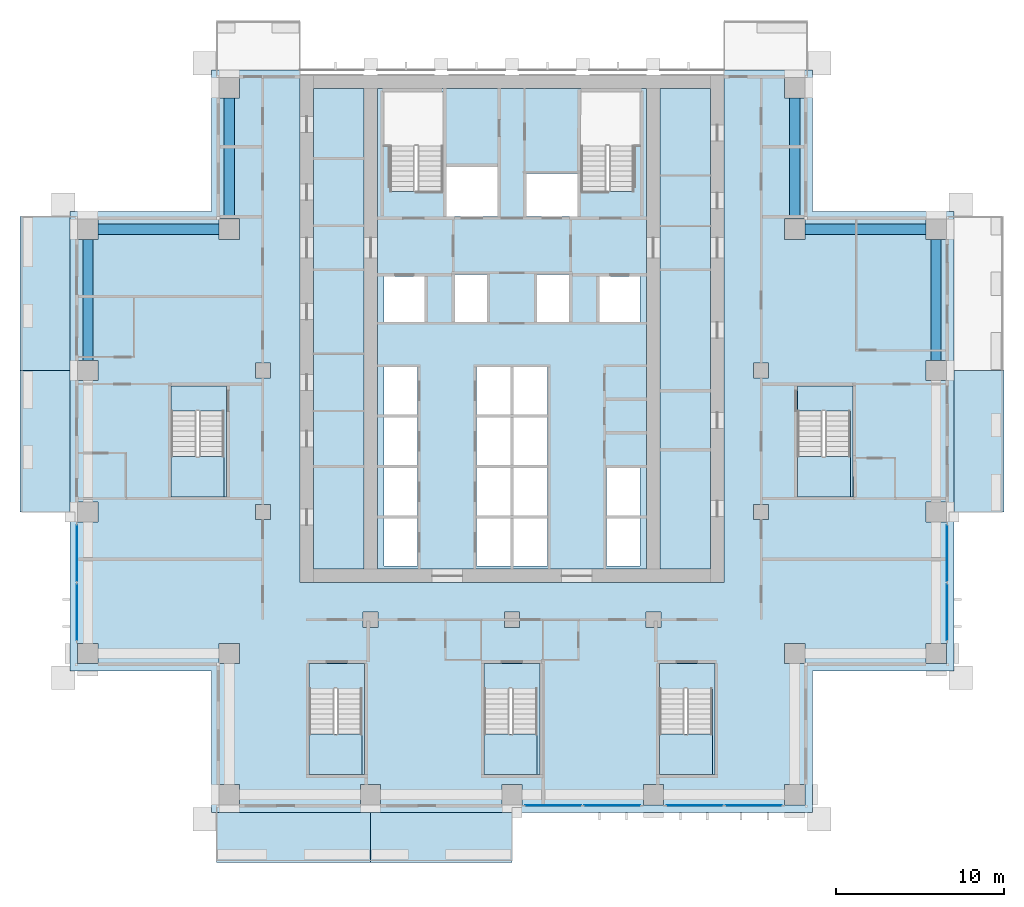
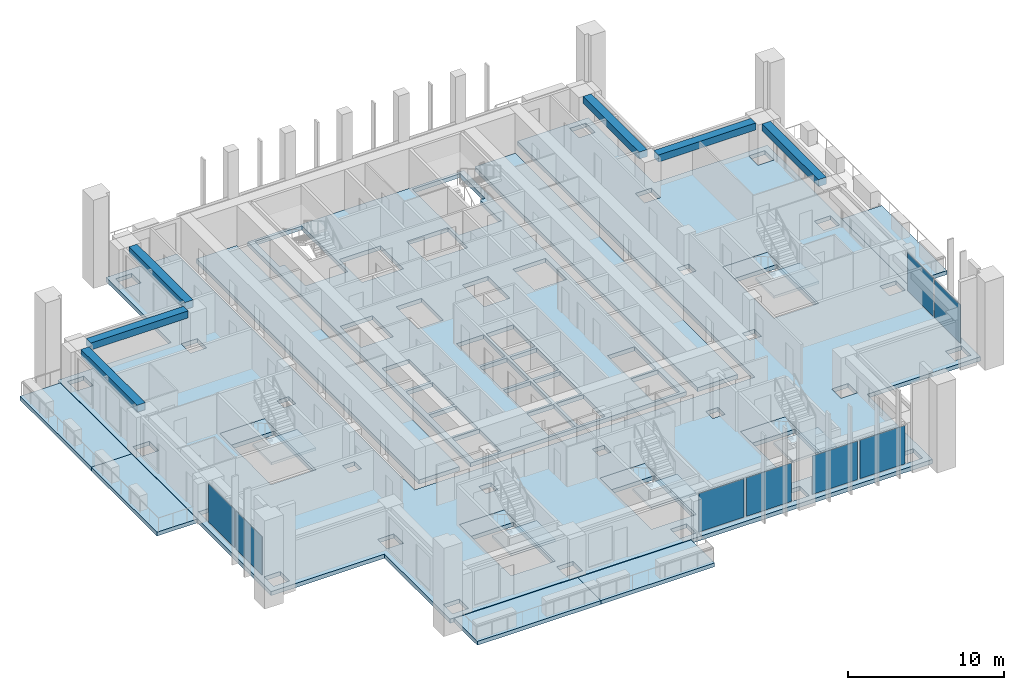
# One storey, part 5 of 17: 19 slabs, 8 plates, 6 beams, 9 elements without a shape of their own.
"""IFC4 building model written with IfcOpenShell, lengths in metres."""

from ifc_helpers import new_model, si_unit, direction, frame, origin, origin_2d, place, context, subcontext, project, spatial, polyline, rectangle, outline, extrude, material, layer, layer_set, material_profile, profile_set, type_object, element, aggregate, save


model = new_model("IFC4")

# Units and contexts
model_context = context("Model", 3, precision=1e-05, world=origin(), true_north=direction((0.0, 1.0)))
body_context = subcontext(model_context, "Body", "Model", "MODEL_VIEW")
ifc_project = project(units=[si_unit("LENGTHUNIT", "METRE"), si_unit("AREAUNIT", "SQUARE_METRE"), si_unit("VOLUMEUNIT", "CUBIC_METRE"), si_unit("PLANEANGLEUNIT", "RADIAN"), si_unit("MASSUNIT", "GRAM", prefix="KILO")], contexts=[model_context])

# Site, building, storey
site_placement = place(None, origin())
site = spatial("IfcSite", under=ifc_project, at=site_placement, CompositionType="ELEMENT")
building_placement = place(site_placement, origin())
building = spatial("IfcBuilding", under=site, at=building_placement, Name="Vermilion Ogive Tower", CompositionType="ELEMENT")
storey_placement = place(building_placement, frame((0.0, 0.0, 97.64990234375)))
storey = spatial("IfcBuildingStorey", under=building, at=storey_placement, Name="L24", CompositionType="ELEMENT", Elevation=97.64990234375)

# Beams
ifc_material_1 = material(Name="Concrete B45", Category="concrete")
ifc_material_profile = material_profile(ifc_material_1, rectangle(XDim=0.60009765625, YDim=0.550048828125, at=origin_2d()), Name="600 x 550")
ifc_profile_set = profile_set([ifc_material_profile], Name="Concrete B45")
beam_type = type_object("IfcBeamType", Name="Edge beam 600 x 550 B45", PredefinedType="BEAM", material=ifc_profile_set)
beam_1_placement = place(storey_placement, frame((25.199951171875, 4.800048828125, 2.85498046875), z_axis=(0.0, 1.0, 0.0), x_axis=(-1.0, 0.0, 0.0)))
element("IfcBeam", 1, at=beam_1_placement, inside=storey, type_object=beam_type, Name="L24-EB-9", PredefinedType="BEAM", context=body_context, shape_type="SweptSolid", body=[
    extrude(rectangle(XDim=0.60009765625, YDim=0.550048828125, at=origin_2d()), origin(), (0.0, 0.0, 1.0), 7.199951171875),
])
beam_2_placement = place(storey_placement, frame((24.60009765625, 12.60009765625, 2.85498046875), z_axis=(-1.0, 0.0, 0.0), x_axis=(0.0, -1.0, 0.0)))
element("IfcBeam", 2, at=beam_2_placement, inside=storey, type_object=beam_type, Name="L24-EB-10", PredefinedType="BEAM", context=body_context, shape_type="SweptSolid", body=[
    extrude(rectangle(XDim=0.60009765625, YDim=0.550048828125, at=origin_2d()), origin(), (0.0, 0.0, 1.0), 7.2001953125),
])
for number, where, z_axis, x_axis, name in (
    (3, (16.800048828125, 13.199951171875, 2.85498046875), (0.0, 1.0, 0.0), (-1.0, 0.0, 0.0), "L24-EB-11"),
    (4, (-16.800048828125, 20.39990234375, 2.85498046875), (0.0, -1.0, 0.0), (1.0, 0.0, 0.0), "L24-EB-12"),
):
    element("IfcBeam", number, at=place(storey_placement, frame(where, z_axis=z_axis, x_axis=x_axis)), inside=storey, type_object=beam_type, Name=name, PredefinedType="BEAM", context=body_context, shape_type="SweptSolid", body=[
        extrude(rectangle(XDim=0.60009765625, YDim=0.550048828125, at=origin_2d()), origin(), (0.0, 0.0, 1.0), 7.199951171875),
    ])
beam_3_placement = place(storey_placement, frame((-17.39990234375, 12.60009765625, 2.85498046875), z_axis=(-1.0, 0.0, 0.0), x_axis=(0.0, -1.0, 0.0)))
element("IfcBeam", 5, at=beam_3_placement, inside=storey, type_object=beam_type, Name="L24-EB-13", PredefinedType="BEAM", context=body_context, shape_type="SweptSolid", body=[
    extrude(rectangle(XDim=0.60009765625, YDim=0.550048828125, at=origin_2d()), origin(), (0.0, 0.0, 1.0), 7.2001953125),
])
beam_4_placement = place(storey_placement, frame((-25.199951171875, 12.0, 2.85498046875), z_axis=(0.0, -1.0, 0.0), x_axis=(1.0, 0.0, 0.0)))
element("IfcBeam", 6, at=beam_4_placement, inside=storey, type_object=beam_type, Name="L24-EB-14", PredefinedType="BEAM", context=body_context, shape_type="SweptSolid", body=[
    extrude(rectangle(XDim=0.60009765625, YDim=0.550048828125, at=origin_2d()), origin(), (0.0, 0.0, 1.0), 7.199951171875),
])

# Slabs
ifc_material_2 = material(Name="Concrete B40", Category="concrete")
ifc_layer_1 = layer(ifc_material_2, 0.300048828125)
ifc_layer_set_1 = layer_set([ifc_layer_1], Name="Balcony slab")
slab_type_1 = type_object("IfcSlabType", Name="Balcony slab", PredefinedType="FLOOR", material=ifc_layer_set_1)
slab_1_placement = place(storey_placement, frame((0.0, 0.0, -0.33984375)))
element("IfcSlab", 7, at=slab_1_placement, inside=storey, type_object=slab_type_1, Name="Balcony slab S01", PredefinedType="FLOOR", context=body_context, shape_type="SweptSolid", body=[
    extrude(outline(polyline([(-17.550048828125, -25.030029296875), (-8.39990234375, -25.030029296875), (-8.39990234375, -22.050048828125), (-17.550048828125, -22.050048828125), (-17.550048828125, -25.030029296875)])), origin(), (0.0, 0.0, 1.0), 0.300048828125),
])
slab_2_placement = place(storey_placement, frame((0.0, 0.0, -0.33984375)))
element("IfcSlab", 8, at=slab_2_placement, inside=storey, type_object=slab_type_1, Name="Balcony slab S02", PredefinedType="FLOOR", context=body_context, shape_type="SweptSolid", body=[
    extrude(outline(polyline([(-8.39990234375, -25.030029296875), (0.0, -25.030029296875), (0.0, -22.050048828125), (-8.39990234375, -22.050048828125), (-8.39990234375, -25.030029296875)])), origin(), (0.0, 0.0, 1.0), 0.300048828125),
])
slab_3_placement = place(storey_placement, frame((0.0, 0.0, -0.33984375)))
element("IfcSlab", 9, at=slab_3_placement, inside=storey, type_object=slab_type_1, Name="Balcony slab E02", PredefinedType="FLOOR", context=body_context, shape_type="SweptSolid", body=[
    extrude(outline(polyline([(29.22998046875, -4.199951171875), (29.22998046875, 4.199951171875), (26.25, 4.199951171875), (26.25, -4.199951171875), (29.22998046875, -4.199951171875)])), origin(), (0.0, 0.0, 1.0), 0.300048828125),
])
slab_4_placement = place(storey_placement, frame((0.0, 0.0, -0.33984375)))
element("IfcSlab", 10, at=slab_4_placement, inside=storey, type_object=slab_type_1, Name="Balcony slab W01", PredefinedType="FLOOR", context=body_context, shape_type="SweptSolid", body=[
    extrude(outline(polyline([(-29.22998046875, 13.35009765625), (-29.22998046875, 4.199951171875), (-26.25, 4.199951171875), (-26.25, 13.35009765625), (-29.22998046875, 13.35009765625)])), origin(), (0.0, 0.0, 1.0), 0.300048828125),
])
slab_5_placement = place(storey_placement, frame((0.0, 0.0, -0.33984375)))
element("IfcSlab", 11, at=slab_5_placement, inside=storey, type_object=slab_type_1, Name="Balcony slab W02", PredefinedType="FLOOR", context=body_context, shape_type="SweptSolid", body=[
    extrude(outline(polyline([(-29.22998046875, 4.199951171875), (-29.22998046875, -4.199951171875), (-26.25, -4.199951171875), (-26.25, 4.199951171875), (-29.22998046875, 4.199951171875)])), origin(), (0.0, 0.0, 1.0), 0.300048828125),
])

# Curtain wall, plates
ifc_material_3 = material(Name="Low-iron laminated glazing in aluminium frame", Category="aluminium")
curtain_wall_type = type_object("IfcCurtainWallType", Name="Curtain wall CW7", PredefinedType="NOTDEFINED", material=ifc_material_3)
curtain_wall_1_placement = place(storey_placement, origin())
curtain_wall_1 = element("IfcCurtainWall", 12, at=curtain_wall_1_placement, inside=storey, type_object=curtain_wall_type, Name="Glazed skin S3", PredefinedType="NOTDEFINED")
ifc_material_4 = material(Name="Low-iron laminated glazing in aluminium frame", Category="aluminium")
ifc_layer_2 = layer(ifc_material_4, 0.031982421875)
ifc_layer_set_2 = layer_set([ifc_layer_2], Name="CW7 glazing panel 32")
plate_type = type_object("IfcPlateType", Name="CW7 glazing panel 32", PredefinedType="CURTAIN_PANEL", material=ifc_layer_set_2)
plate_1_placement = place(storey_placement, frame((2.445068359375, -21.64990234375, 0.06005859375), z_axis=(0.0, 0.0, 1.0), x_axis=(1.0, 0.0, 0.0)))
plate_1 = element("IfcPlate", 13, at=plate_1_placement, type_object=plate_type, Name="CW7-S3 panel 1.1", PredefinedType="CURTAIN_PANEL", context=body_context, shape_type="SweptSolid", body=[
    extrude(rectangle(XDim=3.330078125, YDim=0.031982421875, at=origin_2d()), origin(), (0.0, 0.0, 1.0), 3.010009765625),
])
plate_2_placement = place(storey_placement, frame((5.955078125, -21.64990234375, 0.06005859375), z_axis=(0.0, 0.0, 1.0), x_axis=(1.0, 0.0, 0.0)))
plate_2 = element("IfcPlate", 14, at=plate_2_placement, type_object=plate_type, Name="CW7-S3 panel 2.1", PredefinedType="CURTAIN_PANEL", context=body_context, shape_type="SweptSolid", body=[
    extrude(rectangle(XDim=3.330078125, YDim=0.031982421875, at=origin_2d()), origin(), (0.0, 0.0, 1.0), 3.010009765625),
])
aggregate(curtain_wall_1, [plate_1, plate_2])

curtain_wall_2_placement = place(storey_placement, origin())
curtain_wall_2 = element("IfcCurtainWall", 15, at=curtain_wall_2_placement, inside=storey, type_object=curtain_wall_type, Name="Glazed skin S4", PredefinedType="NOTDEFINED")
plate_3_placement = place(storey_placement, frame((10.844970703125, -21.64990234375, 0.06005859375), z_axis=(0.0, 0.0, 1.0), x_axis=(1.0, 0.0, 0.0)))
plate_3 = element("IfcPlate", 16, at=plate_3_placement, type_object=plate_type, Name="CW7-S4 panel 1.1", PredefinedType="CURTAIN_PANEL", context=body_context, shape_type="SweptSolid", body=[
    extrude(rectangle(XDim=3.330078125, YDim=0.031982421875, at=origin_2d()), origin(), (0.0, 0.0, 1.0), 3.010009765625),
])
plate_4_placement = place(storey_placement, frame((14.35498046875, -21.64990234375, 0.06005859375), z_axis=(0.0, 0.0, 1.0), x_axis=(1.0, 0.0, 0.0)))
plate_4 = element("IfcPlate", 17, at=plate_4_placement, type_object=plate_type, Name="CW7-S4 panel 2.1", PredefinedType="CURTAIN_PANEL", context=body_context, shape_type="SweptSolid", body=[
    extrude(rectangle(XDim=3.330078125, YDim=0.031982421875, at=origin_2d()), origin(), (0.0, 0.0, 1.0), 3.010009765625),
])
aggregate(curtain_wall_2, [plate_3, plate_4])

curtain_wall_3_placement = place(storey_placement, origin())
curtain_wall_3 = element("IfcCurtainWall", 18, at=curtain_wall_3_placement, inside=storey, type_object=curtain_wall_type, Name="Glazed skin E1", PredefinedType="NOTDEFINED")
plate_5_placement = place(storey_placement, frame((25.85009765625, -10.155029296875, 0.06005859375), z_axis=(0.0, 0.0, 1.0), x_axis=(0.0, 1.0, 0.0)))
plate_5 = element("IfcPlate", 19, at=plate_5_placement, type_object=plate_type, Name="CW7-E1 panel 1.1", PredefinedType="CURTAIN_PANEL", context=body_context, shape_type="SweptSolid", body=[
    extrude(rectangle(XDim=3.330078125, YDim=0.031982421875, at=origin_2d()), origin(), (0.0, 0.0, 1.0), 3.010009765625),
])
plate_6_placement = place(storey_placement, frame((25.85009765625, -6.64501953125, 0.06005859375), z_axis=(0.0, 0.0, 1.0), x_axis=(0.0, 1.0, 0.0)))
plate_6 = element("IfcPlate", 20, at=plate_6_placement, type_object=plate_type, Name="CW7-E1 panel 2.1", PredefinedType="CURTAIN_PANEL", context=body_context, shape_type="SweptSolid", body=[
    extrude(rectangle(XDim=3.330078125, YDim=0.031982421875, at=origin_2d()), origin(), (0.0, 0.0, 1.0), 3.010009765625),
])
aggregate(curtain_wall_3, [plate_5, plate_6])

curtain_wall_4_placement = place(storey_placement, origin())
curtain_wall_4 = element("IfcCurtainWall", 21, at=curtain_wall_4_placement, inside=storey, type_object=curtain_wall_type, Name="Glazed skin W3", PredefinedType="NOTDEFINED")
plate_7_placement = place(storey_placement, frame((-25.85009765625, -6.64501953125, 0.06005859375), z_axis=(0.0, 0.0, 1.0), x_axis=(0.0, -1.0, 0.0)))
plate_7 = element("IfcPlate", 22, at=plate_7_placement, type_object=plate_type, Name="CW7-W3 panel 1.1", PredefinedType="CURTAIN_PANEL", context=body_context, shape_type="SweptSolid", body=[
    extrude(rectangle(XDim=3.330078125, YDim=0.031982421875, at=origin_2d()), origin(), (0.0, 0.0, 1.0), 3.010009765625),
])
plate_8_placement = place(storey_placement, frame((-25.85009765625, -10.155029296875, 0.06005859375), z_axis=(0.0, 0.0, 1.0), x_axis=(0.0, -1.0, 0.0)))
plate_8 = element("IfcPlate", 23, at=plate_8_placement, type_object=plate_type, Name="CW7-W3 panel 2.1", PredefinedType="CURTAIN_PANEL", context=body_context, shape_type="SweptSolid", body=[
    extrude(rectangle(XDim=3.330078125, YDim=0.031982421875, at=origin_2d()), origin(), (0.0, 0.0, 1.0), 3.010009765625),
])
aggregate(curtain_wall_4, [plate_7, plate_8])

# Slabs
ifc_material_5 = material(Name="Concrete B40", Category="concrete")
ifc_layer_3 = layer(ifc_material_5, 0.320068359375)
ifc_layer_set_3 = layer_set([ifc_layer_3], Name="Core floor slab 320 B40")
slab_type_2 = type_object("IfcSlabType", Name="Core floor slab 320 B40", PredefinedType="FLOOR", material=ifc_layer_set_3)
slab_6_placement = place(storey_placement, frame((0.0, 0.0, -0.31982421875)))
element("IfcSlab", 24, at=slab_6_placement, inside=storey, type_object=slab_type_2, Name="L24-CK-FS1", PredefinedType="FLOOR", context=body_context, shape_type="SweptSolid", body=[
    extrude(outline(polyline([(-8.803955078125, 20.946044921875), (-8.803955078125, -7.595947265625), (-11.7958984375, -7.595947265625), (-11.7958984375, 20.946044921875), (-8.803955078125, 20.946044921875)])), origin(), (0.0, 0.0, 1.0), 0.31982421875),
])
slab_7_placement = place(storey_placement, frame((0.0, 0.0, -0.31982421875)))
element("IfcSlab", 25, at=slab_7_placement, inside=storey, type_object=slab_type_2, Name="L24-CK-FS2", PredefinedType="FLOOR", context=body_context, shape_type="SweptSolid", body=[
    extrude(outline(polyline([(-7.99609375, 20.946044921875), (-7.99609375, -7.595947265625), (7.99609375, -7.595947265625), (7.99609375, 20.946044921875), (-7.99609375, 20.946044921875)]), holes=[polyline([(-7.60009765625, -4.60009765625), (-5.60009765625, -4.60009765625), (-5.60009765625, -7.39990234375), (-7.60009765625, -7.39990234375), (-7.60009765625, -4.60009765625)]), polyline([(-2.10009765625, -4.60009765625), (-0.10009765625, -4.60009765625), (-0.10009765625, -7.39990234375), (-2.10009765625, -7.39990234375), (-2.10009765625, -4.60009765625)]), polyline([(-7.60009765625, -4.39990234375), (-7.60009765625, -1.60009765625), (-5.60009765625, -1.60009765625), (-5.60009765625, -4.39990234375), (-7.60009765625, -4.39990234375)]), polyline([(-2.10009765625, -1.60009765625), (-0.10009765625, -1.60009765625), (-0.10009765625, -4.39990234375), (-2.10009765625, -4.39990234375), (-2.10009765625, -1.60009765625)]), polyline([(-7.60009765625, -1.39990234375), (-7.60009765625, 1.39990234375), (-5.60009765625, 1.39990234375), (-5.60009765625, -1.39990234375), (-7.60009765625, -1.39990234375)]), polyline([(-2.10009765625, 1.39990234375), (-0.10009765625, 1.39990234375), (-0.10009765625, -1.39990234375), (-2.10009765625, -1.39990234375), (-2.10009765625, 1.39990234375)]), polyline([(-7.60009765625, 4.39990234375), (-5.60009765625, 4.39990234375), (-5.60009765625, 1.60009765625), (-7.60009765625, 1.60009765625), (-7.60009765625, 4.39990234375)]), polyline([(-2.10009765625, 4.39990234375), (-0.10009765625, 4.39990234375), (-0.10009765625, 1.60009765625), (-2.10009765625, 1.60009765625), (-2.10009765625, 4.39990234375)]), polyline([(-7.60009765625, 9.800048828125), (-5.199951171875, 9.800048828125), (-5.199951171875, 7.10009765625), (-7.60009765625, 7.10009765625), (-7.60009765625, 9.800048828125)]), polyline([(-3.39990234375, 9.89990234375), (-1.5, 9.89990234375), (-1.5, 7.10009765625), (-3.39990234375, 7.10009765625), (-3.39990234375, 9.89990234375)]), polyline([(-3.89990234375, 16.300048828125), (-0.85009765625, 16.300048828125), (-0.85009765625, 13.35009765625), (-3.89990234375, 13.35009765625), (-3.89990234375, 16.300048828125)]), polyline([(-7.60009765625, 17.550048828125), (-7.60009765625, 20.75), (-4.10009765625, 20.75), (-4.10009765625, 14.85205078125), (-5.60009765625, 14.85205078125), (-5.60009765625, 14.85009765625), (-5.75, 14.85009765625), (-5.75, 14.85205078125), (-7.25, 14.85205078125), (-7.25, 17.550048828125), (-7.60009765625, 17.550048828125)]), polyline([(0.10009765625, -4.60009765625), (2.10009765625, -4.60009765625), (2.10009765625, -7.39990234375), (0.10009765625, -7.39990234375), (0.10009765625, -4.60009765625)]), polyline([(5.60009765625, -4.60009765625), (7.60009765625, -4.60009765625), (7.60009765625, -7.39990234375), (5.60009765625, -7.39990234375), (5.60009765625, -4.60009765625)]), polyline([(0.10009765625, -1.60009765625), (2.10009765625, -1.60009765625), (2.10009765625, -4.39990234375), (0.10009765625, -4.39990234375), (0.10009765625, -1.60009765625)]), polyline([(5.60009765625, -1.60009765625), (7.60009765625, -1.60009765625), (7.60009765625, -4.39990234375), (5.60009765625, -4.39990234375), (5.60009765625, -1.60009765625)]), polyline([(0.10009765625, 1.39990234375), (2.10009765625, 1.39990234375), (2.10009765625, -1.39990234375), (0.10009765625, -1.39990234375), (0.10009765625, 1.39990234375)]), polyline([(0.10009765625, 4.39990234375), (2.10009765625, 4.39990234375), (2.10009765625, 1.60009765625), (0.10009765625, 1.60009765625), (0.10009765625, 4.39990234375)]), polyline([(5.199951171875, 9.800048828125), (7.60009765625, 9.800048828125), (7.60009765625, 7.10009765625), (5.199951171875, 7.10009765625), (5.199951171875, 9.800048828125)]), polyline([(1.5, 9.89990234375), (3.39990234375, 9.89990234375), (3.39990234375, 7.10009765625), (1.5, 7.10009765625), (1.5, 9.89990234375)]), polyline([(0.85009765625, 15.89990234375), (3.89990234375, 15.89990234375), (3.89990234375, 13.35009765625), (0.85009765625, 13.35009765625), (0.85009765625, 15.89990234375)]), polyline([(5.75, 14.85009765625), (5.60009765625, 14.85009765625), (5.60009765625, 14.85205078125), (4.10009765625, 14.85205078125), (4.10009765625, 17.550048828125), (4.074951171875, 17.550048828125), (4.074951171875, 20.75), (7.60009765625, 20.75), (7.60009765625, 17.550048828125), (7.25, 17.550048828125), (7.25, 14.85205078125), (5.75, 14.85205078125), (5.75, 14.85009765625)])]), origin(), (0.0, 0.0, 1.0), 0.31982421875),
])
slab_8_placement = place(storey_placement, frame((0.0, 0.0, -0.31982421875)))
element("IfcSlab", 26, at=slab_8_placement, inside=storey, type_object=slab_type_2, Name="L24-CK-FS3", PredefinedType="FLOOR", context=body_context, shape_type="SweptSolid", body=[
    extrude(outline(polyline([(11.7958984375, -7.595947265625), (8.803955078125, -7.595947265625), (8.803955078125, 20.946044921875), (11.7958984375, 20.946044921875), (11.7958984375, -7.595947265625)])), origin(), (0.0, 0.0, 1.0), 0.31982421875),
])
slab_9_placement = place(storey_placement, frame((0.0, 0.0, -0.31982421875)))
element("IfcSlab", 27, at=slab_9_placement, inside=storey, type_object=slab_type_2, Name="L24-SF-ST3-1", PredefinedType="FLOOR", context=body_context, shape_type="SweptSolid", body=[
    extrude(outline(polyline([(-12.050048828125, -13.199951171875), (-12.050048828125, -14.701904296875), (-10.550048828125, -14.701904296875), (-10.550048828125, -14.699951171875), (-10.39990234375, -14.699951171875), (-10.39990234375, -14.701904296875), (-8.89990234375, -14.701904296875), (-8.89990234375, -19.800048828125), (-8.75, -19.800048828125), (-8.75, -13.199951171875), (-12.050048828125, -13.199951171875)])), origin(), (0.0, 0.0, 1.0), 0.31982421875),
])
slab_10_placement = place(storey_placement, frame((0.0, 0.0, -0.31982421875)))
element("IfcSlab", 28, at=slab_10_placement, inside=storey, type_object=slab_type_2, Name="L24-SF-ST4-1", PredefinedType="FLOOR", context=body_context, shape_type="SweptSolid", body=[
    extrude(outline(polyline([(-1.64990234375, -13.199951171875), (-1.64990234375, -14.701904296875), (-0.14990234375, -14.701904296875), (-0.14990234375, -14.699951171875), (0.0, -14.699951171875), (0.0, -14.701904296875), (1.5, -14.701904296875), (1.5, -19.800048828125), (1.64990234375, -19.800048828125), (1.64990234375, -13.199951171875), (-1.64990234375, -13.199951171875)])), origin(), (0.0, 0.0, 1.0), 0.31982421875),
])
slab_11_placement = place(storey_placement, frame((0.0, 0.0, -0.31982421875)))
element("IfcSlab", 29, at=slab_11_placement, inside=storey, type_object=slab_type_2, Name="L24-SF-ST5-1", PredefinedType="FLOOR", context=body_context, shape_type="SweptSolid", body=[
    extrude(outline(polyline([(8.75, -13.199951171875), (8.75, -14.701904296875), (10.25, -14.701904296875), (10.25, -14.699951171875), (10.39990234375, -14.699951171875), (10.39990234375, -14.701904296875), (11.89990234375, -14.701904296875), (11.89990234375, -19.800048828125), (12.050048828125, -19.800048828125), (12.050048828125, -13.199951171875), (8.75, -13.199951171875)])), origin(), (0.0, 0.0, 1.0), 0.31982421875),
])
slab_12_placement = place(storey_placement, frame((0.0, 0.0, -0.31982421875)))
element("IfcSlab", 30, at=slab_12_placement, inside=storey, type_object=slab_type_2, Name="L24-SF-ST8-1", PredefinedType="FLOOR", context=body_context, shape_type="SweptSolid", body=[
    extrude(outline(polyline([(16.949951171875, 3.300048828125), (16.949951171875, 1.798095703125), (18.449951171875, 1.798095703125), (18.449951171875, 1.800048828125), (18.60009765625, 1.800048828125), (18.60009765625, 1.798095703125), (20.10009765625, 1.798095703125), (20.10009765625, -3.300048828125), (20.25, -3.300048828125), (20.25, 3.300048828125), (16.949951171875, 3.300048828125)])), origin(), (0.0, 0.0, 1.0), 0.31982421875),
])
slab_13_placement = place(storey_placement, frame((0.0, 0.0, -0.31982421875)))
element("IfcSlab", 31, at=slab_13_placement, inside=storey, type_object=slab_type_2, Name="L24-SF-ST9-1", PredefinedType="FLOOR", context=body_context, shape_type="SweptSolid", body=[
    extrude(outline(polyline([(-20.25, 3.300048828125), (-20.25, 1.798095703125), (-18.75, 1.798095703125), (-18.75, 1.800048828125), (-18.60009765625, 1.800048828125), (-18.60009765625, 1.798095703125), (-17.10009765625, 1.798095703125), (-17.10009765625, -3.300048828125), (-16.949951171875, -3.300048828125), (-16.949951171875, 3.300048828125), (-20.25, 3.300048828125)])), origin(), (0.0, 0.0, 1.0), 0.31982421875),
])
ifc_material_6 = material(Name="Concrete B45", Category="concrete")
ifc_layer_4 = layer(ifc_material_6, 0.320068359375)
ifc_layer_set_4 = layer_set([ifc_layer_4], Name="Post-tensioned flat plate 320 B45")
slab_type_3 = type_object("IfcSlabType", Name="Post-tensioned flat plate 320 B45", PredefinedType="FLOOR", material=ifc_layer_set_4)
slab_14_placement = place(storey_placement, frame((0.0, 0.0, -0.31982421875)))
element("IfcSlab", 32, at=slab_14_placement, inside=storey, type_object=slab_type_3, Name="L24-SL-1", PredefinedType="FLOOR", context=body_context, shape_type="SweptSolid", body=[
    extrude(outline(polyline([(-26.25, -13.64990234375), (-17.85009765625, -13.64990234375), (-17.85009765625, -22.050048828125), (17.85009765625, -22.050048828125), (17.85009765625, -13.64990234375), (26.25, -13.64990234375), (26.25, 13.64990234375), (17.85009765625, 13.64990234375), (17.85009765625, 22.050048828125), (12.60009765625, 22.050048828125), (12.60009765625, -8.39990234375), (-12.60009765625, -8.39990234375), (-12.60009765625, 22.050048828125), (-17.85009765625, 22.050048828125), (-17.85009765625, 13.64990234375), (-26.25, 13.64990234375), (-26.25, -13.64990234375)]), holes=[polyline([(25.800048828125, -3.60009765625), (25.800048828125, -4.800048828125), (24.60009765625, -4.800048828125), (24.60009765625, -3.60009765625), (25.800048828125, -3.60009765625)]), polyline([(25.800048828125, -12.0), (25.800048828125, -13.199951171875), (24.60009765625, -13.199951171875), (24.60009765625, -12.0), (25.800048828125, -12.0)]), polyline([(25.800048828125, 12.0), (24.60009765625, 12.0), (24.60009765625, 13.199951171875), (25.800048828125, 13.199951171875), (25.800048828125, 12.0)]), polyline([(25.800048828125, 3.60009765625), (24.60009765625, 3.60009765625), (24.60009765625, 4.800048828125), (25.800048828125, 4.800048828125), (25.800048828125, 3.60009765625)]), polyline([(20.25, 3.300048828125), (20.25, -3.300048828125), (16.949951171875, -3.300048828125), (16.949951171875, 3.300048828125), (20.25, 3.300048828125)]), polyline([(17.39990234375, -12.0), (17.39990234375, -13.199951171875), (16.199951171875, -13.199951171875), (16.199951171875, -12.0), (17.39990234375, -12.0)]), polyline([(17.39990234375, 20.39990234375), (16.199951171875, 20.39990234375), (16.199951171875, 21.60009765625), (17.39990234375, 21.60009765625), (17.39990234375, 20.39990234375)]), polyline([(17.39990234375, -20.39990234375), (17.39990234375, -21.60009765625), (16.199951171875, -21.60009765625), (16.199951171875, -20.39990234375), (17.39990234375, -20.39990234375)]), polyline([(17.39990234375, 13.199951171875), (17.39990234375, 12.0), (16.199951171875, 12.0), (16.199951171875, 13.199951171875), (17.39990234375, 13.199951171875)]), polyline([(15.25, 4.64990234375), (15.25, 3.75), (14.35009765625, 3.75), (14.35009765625, 4.64990234375), (15.25, 4.64990234375)]), polyline([(15.25, -4.64990234375), (14.35009765625, -4.64990234375), (14.35009765625, -3.75), (15.25, -3.75), (15.25, -4.64990234375)]), polyline([(12.050048828125, -13.199951171875), (12.050048828125, -19.800048828125), (8.75, -19.800048828125), (8.75, -13.199951171875), (12.050048828125, -13.199951171875)]), polyline([(9.0, -20.39990234375), (9.0, -21.60009765625), (7.800048828125, -21.60009765625), (7.800048828125, -20.39990234375), (9.0, -20.39990234375)]), polyline([(8.85009765625, -11.050048828125), (7.949951171875, -11.050048828125), (7.949951171875, -10.14990234375), (8.85009765625, -10.14990234375), (8.85009765625, -11.050048828125)]), polyline([(1.64990234375, -13.199951171875), (1.64990234375, -19.800048828125), (-1.64990234375, -19.800048828125), (-1.64990234375, -13.199951171875), (1.64990234375, -13.199951171875)]), polyline([(0.60009765625, -20.39990234375), (0.60009765625, -21.60009765625), (-0.60009765625, -21.60009765625), (-0.60009765625, -20.39990234375), (0.60009765625, -20.39990234375)]), polyline([(0.449951171875, -10.14990234375), (0.449951171875, -11.050048828125), (-0.449951171875, -11.050048828125), (-0.449951171875, -10.14990234375), (0.449951171875, -10.14990234375)]), polyline([(-7.800048828125, -20.39990234375), (-7.800048828125, -21.60009765625), (-9.0, -21.60009765625), (-9.0, -20.39990234375), (-7.800048828125, -20.39990234375)]), polyline([(-7.949951171875, -10.14990234375), (-7.949951171875, -11.050048828125), (-8.85009765625, -11.050048828125), (-8.85009765625, -10.14990234375), (-7.949951171875, -10.14990234375)]), polyline([(-8.75, -13.199951171875), (-8.75, -19.800048828125), (-12.050048828125, -19.800048828125), (-12.050048828125, -13.199951171875), (-8.75, -13.199951171875)]), polyline([(-14.35009765625, 4.64990234375), (-14.35009765625, 3.75), (-15.25, 3.75), (-15.25, 4.64990234375), (-14.35009765625, 4.64990234375)]), polyline([(-14.35009765625, -4.64990234375), (-15.25, -4.64990234375), (-15.25, -3.75), (-14.35009765625, -3.75), (-14.35009765625, -4.64990234375)]), polyline([(-16.199951171875, 13.199951171875), (-16.199951171875, 12.0), (-17.39990234375, 12.0), (-17.39990234375, 13.199951171875), (-16.199951171875, 13.199951171875)]), polyline([(-16.199951171875, -12.0), (-16.199951171875, -13.199951171875), (-17.39990234375, -13.199951171875), (-17.39990234375, -12.0), (-16.199951171875, -12.0)]), polyline([(-16.199951171875, -20.39990234375), (-16.199951171875, -21.60009765625), (-17.39990234375, -21.60009765625), (-17.39990234375, -20.39990234375), (-16.199951171875, -20.39990234375)]), polyline([(-16.199951171875, 20.39990234375), (-17.39990234375, 20.39990234375), (-17.39990234375, 21.60009765625), (-16.199951171875, 21.60009765625), (-16.199951171875, 20.39990234375)]), polyline([(-16.949951171875, 3.300048828125), (-16.949951171875, -3.300048828125), (-20.25, -3.300048828125), (-20.25, -3.2998046875), (-20.275146484375, -3.2998046875), (-20.275146484375, -0.89990234375), (-20.25, -0.89990234375), (-20.25, 3.300048828125), (-16.949951171875, 3.300048828125)]), polyline([(-24.60009765625, 3.60009765625), (-25.800048828125, 3.60009765625), (-25.800048828125, 4.800048828125), (-24.60009765625, 4.800048828125), (-24.60009765625, 3.60009765625)]), polyline([(-24.60009765625, 13.199951171875), (-24.60009765625, 12.0), (-25.800048828125, 12.0), (-25.800048828125, 13.199951171875), (-24.60009765625, 13.199951171875)]), polyline([(-24.60009765625, -3.60009765625), (-24.60009765625, -4.800048828125), (-25.800048828125, -4.800048828125), (-25.800048828125, -3.60009765625), (-24.60009765625, -3.60009765625)]), polyline([(-24.60009765625, -12.0), (-24.60009765625, -13.199951171875), (-25.800048828125, -13.199951171875), (-25.800048828125, -12.0), (-24.60009765625, -12.0)])]), origin(), (0.0, 0.0, 1.0), 0.31982421875),
])

# Stair, slab
ifc_material_7 = material(Name="Concrete B40", Category="concrete")
stair_type = type_object("IfcStairType", Name="Exit stair 1500", PredefinedType="HALF_TURN_STAIR", material=ifc_material_7)
stair_1_placement = place(storey_placement, origin())
stair_1 = element("IfcStair", 33, at=stair_1_placement, inside=storey, type_object=stair_type, Name="L24 Exit Stair ST3", PredefinedType="HALF_TURN_STAIR")
ifc_material_8 = material(Name="Concrete B40", Category="concrete")
ifc_layer_5 = layer(ifc_material_8, 0.199951171875)
ifc_layer_set_5 = layer_set([ifc_layer_5], Name="Stair landing 200")
slab_type_4 = type_object("IfcSlabType", Name="Stair landing 200", PredefinedType="LANDING", material=ifc_layer_set_5)
slab_15_placement = place(storey_placement, frame((0.0, 0.0, 1.525146484375)))
slab_15 = element("IfcSlab", 34, at=slab_15_placement, type_object=slab_type_4, Name="ST3 landing 1", PredefinedType="LANDING", context=body_context, shape_type="SweptSolid", body=[
    extrude(outline(polyline([(-8.75, -17.39990234375), (-8.89990234375, -17.39990234375), (-8.89990234375, -17.39794921875), (-10.39990234375, -17.39794921875), (-10.39990234375, -17.39990234375), (-10.550048828125, -17.39990234375), (-10.550048828125, -17.39794921875), (-12.050048828125, -17.39794921875), (-12.050048828125, -19.800048828125), (-8.75, -19.800048828125), (-8.75, -17.39990234375)])), origin(), (0.0, 0.0, 1.0), 0.199951171875),
])
aggregate(stair_1, [slab_15])

stair_2_placement = place(storey_placement, origin())
stair_2 = element("IfcStair", 35, at=stair_2_placement, inside=storey, type_object=stair_type, Name="L24 Exit Stair ST4", PredefinedType="HALF_TURN_STAIR")
slab_16_placement = place(storey_placement, frame((0.0, 0.0, 1.525146484375)))
slab_16 = element("IfcSlab", 36, at=slab_16_placement, type_object=slab_type_4, Name="ST4 landing 1", PredefinedType="LANDING", context=body_context, shape_type="SweptSolid", body=[
    extrude(outline(polyline([(1.64990234375, -17.39990234375), (1.5, -17.39990234375), (1.5, -17.39794921875), (0.0, -17.39794921875), (0.0, -17.39990234375), (-0.14990234375, -17.39990234375), (-0.14990234375, -17.39794921875), (-1.64990234375, -17.39794921875), (-1.64990234375, -19.7998046875), (1.64990234375, -19.7998046875), (1.64990234375, -17.39990234375)])), origin(), (0.0, 0.0, 1.0), 0.199951171875),
])
aggregate(stair_2, [slab_16])

stair_3_placement = place(storey_placement, origin())
stair_3 = element("IfcStair", 37, at=stair_3_placement, inside=storey, type_object=stair_type, Name="L24 Exit Stair ST5", PredefinedType="HALF_TURN_STAIR")
slab_17_placement = place(storey_placement, frame((0.0, 0.0, 1.525146484375)))
slab_17 = element("IfcSlab", 38, at=slab_17_placement, type_object=slab_type_4, Name="ST5 landing 1", PredefinedType="LANDING", context=body_context, shape_type="SweptSolid", body=[
    extrude(outline(polyline([(12.050048828125, -17.39990234375), (11.89990234375, -17.39990234375), (11.89990234375, -17.39794921875), (10.39990234375, -17.39794921875), (10.39990234375, -17.39990234375), (10.25, -17.39990234375), (10.25, -17.39794921875), (8.75, -17.39794921875), (8.75, -19.800048828125), (12.050048828125, -19.800048828125), (12.050048828125, -17.39990234375)])), origin(), (0.0, 0.0, 1.0), 0.199951171875),
])
aggregate(stair_3, [slab_17])

stair_4_placement = place(storey_placement, origin())
stair_4 = element("IfcStair", 39, at=stair_4_placement, inside=storey, type_object=stair_type, Name="L24 Exit Stair ST8", PredefinedType="HALF_TURN_STAIR")
slab_18_placement = place(storey_placement, frame((0.0, 0.0, 1.525146484375)))
slab_18 = element("IfcSlab", 40, at=slab_18_placement, type_object=slab_type_4, Name="ST8 landing 1", PredefinedType="LANDING", context=body_context, shape_type="SweptSolid", body=[
    extrude(outline(polyline([(20.275146484375, -0.89990234375), (20.10009765625, -0.89990234375), (20.10009765625, -0.89794921875), (18.60009765625, -0.89794921875), (18.60009765625, -0.89990234375), (18.449951171875, -0.89990234375), (18.449951171875, -0.89794921875), (16.949951171875, -0.89794921875), (16.949951171875, -0.902099609375), (16.9501953125, -0.902099609375), (16.9501953125, -3.2998046875), (20.275146484375, -3.2998046875), (20.275146484375, -0.89990234375)])), origin(), (0.0, 0.0, 1.0), 0.199951171875),
])
aggregate(stair_4, [slab_18])

stair_5_placement = place(storey_placement, origin())
stair_5 = element("IfcStair", 41, at=stair_5_placement, inside=storey, type_object=stair_type, Name="L24 Exit Stair ST9", PredefinedType="HALF_TURN_STAIR")
slab_19_placement = place(storey_placement, frame((0.0, 0.0, 1.525146484375)))
slab_19 = element("IfcSlab", 42, at=slab_19_placement, type_object=slab_type_4, Name="ST9 landing 1", PredefinedType="LANDING", context=body_context, shape_type="SweptSolid", body=[
    extrude(outline(polyline([(-16.9501953125, -0.89990234375), (-17.10009765625, -0.89990234375), (-17.10009765625, -0.89794921875), (-18.60009765625, -0.89794921875), (-18.60009765625, -0.89990234375), (-18.75, -0.89990234375), (-18.75, -0.89794921875), (-20.25, -0.89794921875), (-20.25, -0.89990234375), (-20.25, -0.89990234375), (-20.25, -3.2998046875), (-16.9501953125, -3.2998046875), (-16.9501953125, -0.89990234375)])), origin(), (0.0, 0.0, 1.0), 0.199951171875),
])
aggregate(stair_5, [slab_19])

save(model, "model.ifc")
